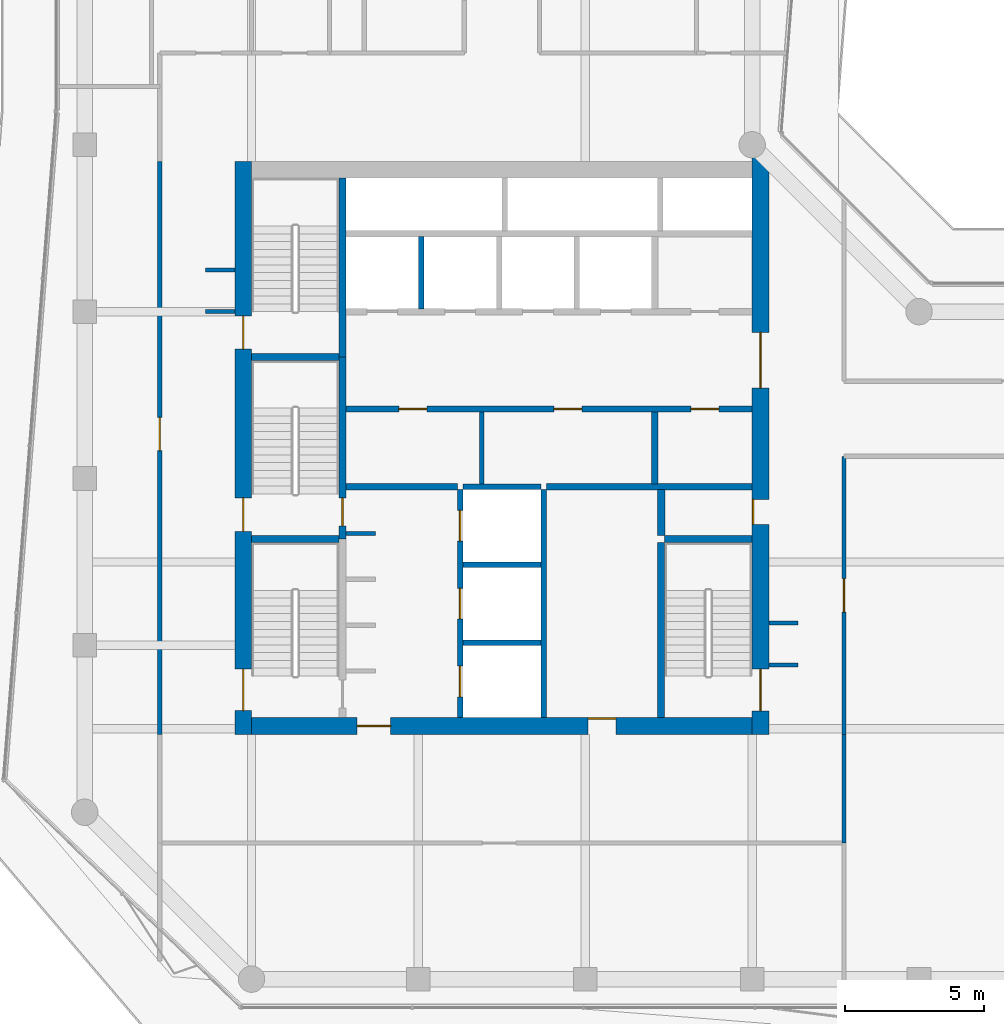
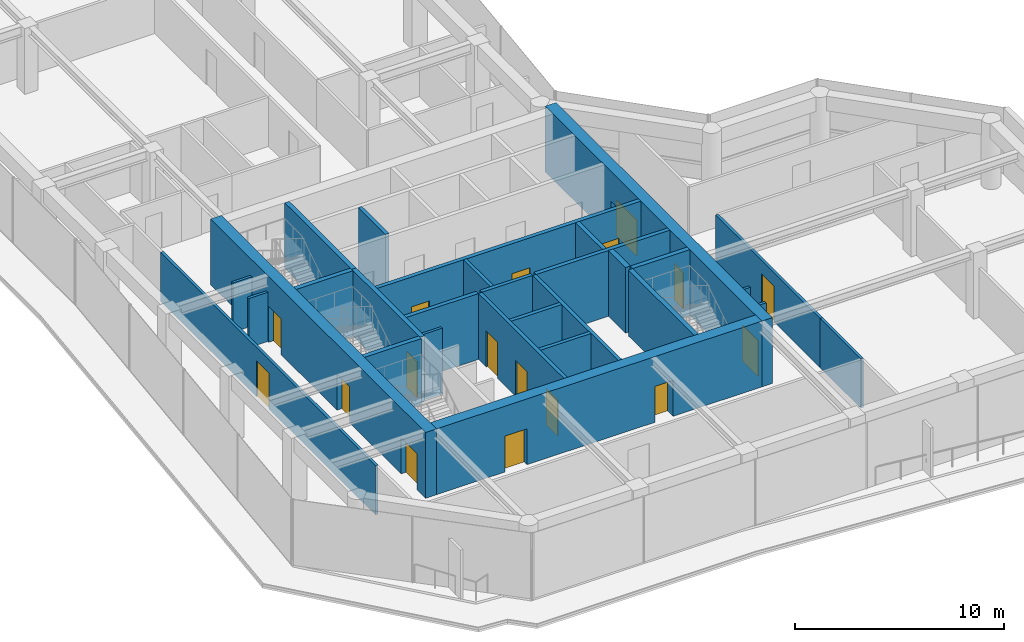
# One storey, part 18 of 22: 29 walls, 17 doors, 17 openings.
"""IFC4 building model written with IfcOpenShell, lengths in metres."""

from ifc_helpers import new_model, si_unit, direction, frame, frame_2d, origin, place, context, subcontext, project, spatial, rectangle, extrude, material, layer, layer_set, type_object, element, fill, save


model = new_model("IFC4")

# Units and contexts
model_context = context("Model", 3, precision=1e-05, world=origin(), true_north=direction((0.0, 1.0)))
body_context = subcontext(model_context, "Body", "Model", "MODEL_VIEW")
ifc_project = project(units=[si_unit("LENGTHUNIT", "METRE"), si_unit("AREAUNIT", "SQUARE_METRE"), si_unit("VOLUMEUNIT", "CUBIC_METRE"), si_unit("PLANEANGLEUNIT", "RADIAN"), si_unit("MASSUNIT", "GRAM", prefix="KILO")], contexts=[model_context])

# Site, building, storey
site_placement = place(None, origin())
site = spatial("IfcSite", under=ifc_project, at=site_placement, CompositionType="ELEMENT")
building_placement = place(site_placement, origin())
building = spatial("IfcBuilding", under=site, at=building_placement, Name="Welwitschia Terrace Campus", CompositionType="ELEMENT")
storey_placement = place(building_placement, frame((0.0, 0.0, 150.800048828125)))
storey = spatial("IfcBuildingStorey", under=building, at=storey_placement, Name="L33", CompositionType="ELEMENT", Elevation=150.800048828125)

# Walls
ifc_material_1 = material(Name="Concrete C32/40", Category="concrete")
ifc_layer_1 = layer(ifc_material_1, 0.175048828125)
ifc_layer_set_1 = layer_set([ifc_layer_1], Name="Concrete C32/40")
wall_type_1 = type_object("IfcWallType", Name="Core partition 175 Concrete C32/40", PredefinedType="PARTITIONING", material=ifc_layer_set_1)
wall_1_placement = place(storey_placement, frame((14.27490234375, 13.800048828125, 0.0), z_axis=(0.0, 0.0, 1.0), x_axis=(0.0, 1.0, 0.0)))
element("IfcWall", 1, at=wall_1_placement, inside=storey, type_object=wall_type_1, Name="Core partition", PredefinedType="PARTITIONING", context=body_context, shape_type="SweptSolid", body=[
    extrude(rectangle(XDim=2.599853515625, YDim=0.175048828125, at=frame_2d((1.2998046875, 0.0))), origin(), (0.0, 0.0, 1.0), 3.849853515625),
])
ifc_material_2 = material(Name="Concrete C32/40", Category="concrete")
ifc_layer_2 = layer(ifc_material_2, 0.22509765625)
ifc_layer_set_2 = layer_set([ifc_layer_2], Name="Concrete C32/40")
wall_type_2 = type_object("IfcWallType", Name="Core partition 225 Concrete C32/40", PredefinedType="PARTITIONING", material=ifc_layer_set_2)
wall_2_placement = place(storey_placement, frame((9.39990234375, 13.699951171875, 0.0), z_axis=(0.0, 0.0, 1.0), x_axis=(1.0, 0.0, 0.0)))
element("IfcWall", 2, at=wall_2_placement, inside=storey, type_object=wall_type_2, Name="Core partition", PredefinedType="PARTITIONING", context=body_context, shape_type="SweptSolid", body=[
    extrude(rectangle(XDim=4.0, YDim=0.22509765625, at=frame_2d((2.0, 0.0))), origin(), (0.0, 0.0, 1.0), 3.849853515625),
])
wall_3_placement = place(storey_placement, frame((16.60009765625, 13.699951171875, 0.0), z_axis=(0.0, 0.0, 1.0), x_axis=(1.0, 0.0, 0.0)))
element("IfcWall", 3, at=wall_3_placement, inside=storey, type_object=wall_type_2, Name="Core partition", PredefinedType="PARTITIONING", context=body_context, shape_type="SweptSolid", body=[
    extrude(rectangle(XDim=7.39990234375, YDim=0.22509765625, at=frame_2d((3.699951171875, 0.0))), origin(), (0.0, 0.0, 1.0), 3.849853515625),
])

# Wall, openings, doors
wall_4_placement = place(storey_placement, frame((9.39990234375, 16.5, 0.0), z_axis=(0.0, 0.0, 1.0), x_axis=(1.0, 0.0, 0.0)))
wall_4 = element("IfcWall", 4, at=wall_4_placement, inside=storey, type_object=wall_type_2, Name="Core partition", PredefinedType="PARTITIONING", context=body_context, shape_type="SweptSolid", body=[
    extrude(rectangle(XDim=14.60009765625, YDim=0.22509765625, at=frame_2d((7.300048828125, 0.0))), origin(), (0.0, 0.0, 1.0), 3.849853515625),
])
opening_1_placement = place(wall_4_placement, frame((1.89990234375, 0.0, 0.0)))
opening_1 = element("IfcOpeningElement", 5, at=opening_1_placement, cuts=wall_4, Name="Opening DR10", PredefinedType="OPENING", context=body_context, shape_type="SweptSolid", body=[
    extrude(rectangle(XDim=1.0, YDim=2.10009765625, at=frame_2d((0.5, 1.050048828125))), frame((0.0, 0.12255859375, 0.0), z_axis=(0.0, -1.0, 0.0), x_axis=(1.0, 0.0, 0.0)), (0.0, 0.0, 1.0), 0.2451171875),
])
opening_2_placement = place(wall_4_placement, frame((7.47509765625, 0.0, 0.0)))
opening_2 = element("IfcOpeningElement", 6, at=opening_2_placement, cuts=wall_4, Name="Opening DR10", PredefinedType="OPENING", context=body_context, shape_type="SweptSolid", body=[
    extrude(rectangle(XDim=1.0, YDim=2.10009765625, at=frame_2d((0.5, 1.050048828125))), frame((0.0, 0.12255859375, 0.0), z_axis=(0.0, -1.0, 0.0), x_axis=(1.0, 0.0, 0.0)), (0.0, 0.0, 1.0), 0.2451171875),
])
opening_3_placement = place(wall_4_placement, frame((12.39990234375, 0.0, 0.0)))
opening_3 = element("IfcOpeningElement", 7, at=opening_3_placement, cuts=wall_4, Name="Opening DR10", PredefinedType="OPENING", context=body_context, shape_type="SweptSolid", body=[
    extrude(rectangle(XDim=1.0, YDim=2.10009765625, at=frame_2d((0.5, 1.050048828125))), frame((0.0, 0.12255859375, 0.0), z_axis=(0.0, -1.0, 0.0), x_axis=(1.0, 0.0, 0.0)), (0.0, 0.0, 1.0), 0.2451171875),
])
ifc_material_3 = material(Name="Steel S275", Category="steel")
door_type_1 = type_object("IfcDoorType", Name="Core door DR10", OperationType="SINGLE_SWING_LEFT", PredefinedType="DOOR", material=ifc_material_3)
door_1_placement = place(opening_1_placement, origin())
door_1 = element("IfcDoor", 8, at=door_1_placement, inside=storey, type_object=door_type_1, Name="Door BAYL1-D", OperationType="SINGLE_SWING_LEFT", OverallHeight=2.10009765625, OverallWidth=1.0, PredefinedType="DOOR", context=body_context, shape_type="SweptSolid", body=[
    extrude(rectangle(XDim=1.0, YDim=2.10009765625, at=frame_2d((0.5, 1.050048828125))), frame((0.0, 0.02490234375, 0.0), z_axis=(0.0, -1.0, 0.0), x_axis=(1.0, 0.0, 0.0)), (0.0, 0.0, 1.0), 0.050048828125),
])
fill(opening_1, door_1)
door_2_placement = place(opening_2_placement, origin())
door_2 = element("IfcDoor", 9, at=door_2_placement, inside=storey, type_object=door_type_1, Name="Door BAYL2-D", OperationType="SINGLE_SWING_RIGHT", OverallHeight=2.10009765625, OverallWidth=1.0, PredefinedType="DOOR", context=body_context, shape_type="SweptSolid", body=[
    extrude(rectangle(XDim=1.0, YDim=2.10009765625, at=frame_2d((0.5, 1.050048828125))), frame((0.0, 0.02490234375, 0.0), z_axis=(0.0, -1.0, 0.0), x_axis=(1.0, 0.0, 0.0)), (0.0, 0.0, 1.0), 0.050048828125),
])
fill(opening_2, door_2)
door_3_placement = place(opening_3_placement, origin())
door_3 = element("IfcDoor", 10, at=door_3_placement, inside=storey, type_object=door_type_1, Name="Door EL-D", OperationType="SINGLE_SWING_RIGHT", OverallHeight=2.10009765625, OverallWidth=1.0, PredefinedType="DOOR", context=body_context, shape_type="SweptSolid", body=[
    extrude(rectangle(XDim=1.0, YDim=2.10009765625, at=frame_2d((0.5, 1.050048828125))), frame((0.0, 0.02490234375, 0.0), z_axis=(0.0, -1.0, 0.0), x_axis=(1.0, 0.0, 0.0)), (0.0, 0.0, 1.0), 0.050048828125),
])
fill(opening_3, door_3)

# Walls
wall_5_placement = place(storey_placement, frame((20.5, 13.800048828125, 0.0), z_axis=(0.0, 0.0, 1.0), x_axis=(0.0, 1.0, 0.0)))
element("IfcWall", 11, at=wall_5_placement, inside=storey, type_object=wall_type_2, Name="Core partition", PredefinedType="PARTITIONING", context=body_context, shape_type="SweptSolid", body=[
    extrude(rectangle(XDim=2.599853515625, YDim=0.22509765625, at=frame_2d((1.2998046875, 0.0))), origin(), (0.0, 0.0, 1.0), 3.849853515625),
])
ifc_material_4 = material(Name="Concrete C32/40", Category="concrete")
ifc_layer_3 = layer(ifc_material_4, 0.27490234375)
ifc_layer_set_3 = layer_set([ifc_layer_3], Name="Concrete C32/40")
wall_type_3 = type_object("IfcWallType", Name="Core partition 275 Concrete C32/40", PredefinedType="PARTITIONING", material=ifc_layer_set_3)
wall_6_placement = place(storey_placement, frame((20.72509765625, 11.949951171875, 0.0), z_axis=(0.0, 0.0, 1.0), x_axis=(0.0, 1.0, 0.0)))
element("IfcWall", 12, at=wall_6_placement, inside=storey, type_object=wall_type_3, Name="Core partition", PredefinedType="PARTITIONING", context=body_context, shape_type="SweptSolid", body=[
    extrude(rectangle(XDim=1.650146484375, YDim=0.27490234375, at=frame_2d((0.8251953125, 0.0))), origin(), (0.0, 0.0, 1.0), 3.849853515625),
])
ifc_material_5 = material(Name="Concrete C50/60", Category="concrete")
ifc_layer_4 = layer(ifc_material_5, 0.14990234375)
ifc_layer_set_4 = layer_set([ifc_layer_4], Name="Concrete C50/60")
wall_type_4 = type_object("IfcWallType", Name="Core wall 150 Concrete C50/60", PredefinedType="SHEAR", material=ifc_layer_set_4)
wall_7_placement = place(storey_placement, frame((9.39990234375, 12.02490234375, 0.0), z_axis=(0.0, 0.0, 1.0), x_axis=(1.0, 0.0, 0.0)))
element("IfcWall", 13, at=wall_7_placement, inside=storey, type_object=wall_type_4, Name="Core wall", PredefinedType="SHEAR", context=body_context, shape_type="SweptSolid", body=[
    extrude(rectangle(XDim=1.050048828125, YDim=0.14990234375, at=frame_2d((0.52490234375, 0.0))), origin(), (0.0, 0.0, 1.0), 3.849853515625),
])
ifc_material_6 = material(Name="Concrete C50/60", Category="concrete")
ifc_layer_5 = layer(ifc_material_6, 0.199951171875)
ifc_layer_set_5 = layer_set([ifc_layer_5], Name="Concrete C50/60")
wall_type_5 = type_object("IfcWallType", Name="Core wall 200 Concrete C50/60", PredefinedType="SHEAR", material=ifc_layer_set_5)
for number, where, z_axis, x_axis, name in (
    (14, (13.60009765625, 8.10009765625, 0.0), (0.0, 0.0, 1.0), (1.0, 0.0, 0.0), "Core wall"),
    (15, (13.60009765625, 10.89990234375, 0.0), (0.0, 0.0, 1.0), (1.0, 0.0, 0.0), "Core wall"),
    (16, (13.60009765625, 13.699951171875, 0.0), (0.0, 0.0, 1.0), (1.0, 0.0, 0.0), "Core wall"),
):
    element("IfcWall", number, at=place(storey_placement, frame(where, z_axis=z_axis, x_axis=x_axis)), inside=storey, type_object=wall_type_5, Name=name, PredefinedType="SHEAR", context=body_context, shape_type="SweptSolid", body=[
        extrude(rectangle(XDim=2.7998046875, YDim=0.199951171875, at=frame_2d((1.39990234375, 0.0))), origin(), (0.0, 0.0, 1.0), 3.849853515625),
    ])

# Wall, openings, doors
wall_8_placement = place(storey_placement, frame((13.5, 5.39990234375, 0.0), z_axis=(0.0, 0.0, 1.0), x_axis=(0.0, 1.0, 0.0)))
wall_8 = element("IfcWall", 17, at=wall_8_placement, inside=storey, type_object=wall_type_5, Name="Core wall", PredefinedType="SHEAR", context=body_context, shape_type="SweptSolid", body=[
    extrude(rectangle(XDim=8.2001953125, YDim=0.199951171875, at=frame_2d((4.10009765625, 0.0))), origin(), (0.0, 0.0, 1.0), 3.849853515625),
])
opening_4_placement = place(wall_8_placement, frame((0.75, 0.0, 0.0)))
opening_4 = element("IfcOpeningElement", 18, at=opening_4_placement, cuts=wall_8, Name="Opening LD", PredefinedType="OPENING", context=body_context, shape_type="SweptSolid", body=[
    extrude(rectangle(XDim=1.10009765625, YDim=2.10009765625, at=frame_2d((0.550048828125, 1.050048828125))), frame((0.0, 0.10986328125, 0.0), z_axis=(0.0, -1.0, 0.0), x_axis=(1.0, 0.0, 0.0)), (0.0, 0.0, 1.0), 0.219970703125),
])
opening_5_placement = place(wall_8_placement, frame((3.550048828125, 0.0, 0.0)))
opening_5 = element("IfcOpeningElement", 19, at=opening_5_placement, cuts=wall_8, Name="Opening LD", PredefinedType="OPENING", context=body_context, shape_type="SweptSolid", body=[
    extrude(rectangle(XDim=1.10009765625, YDim=2.10009765625, at=frame_2d((0.550048828125, 1.050048828125))), frame((0.0, 0.10986328125, 0.0), z_axis=(0.0, -1.0, 0.0), x_axis=(1.0, 0.0, 0.0)), (0.0, 0.0, 1.0), 0.219970703125),
])
opening_6_placement = place(wall_8_placement, frame((6.35009765625, 0.0, 0.0)))
opening_6 = element("IfcOpeningElement", 20, at=opening_6_placement, cuts=wall_8, Name="Opening LD", PredefinedType="OPENING", context=body_context, shape_type="SweptSolid", body=[
    extrude(rectangle(XDim=1.10009765625, YDim=2.10009765625, at=frame_2d((0.550048828125, 1.050048828125))), frame((0.0, 0.10986328125, 0.0), z_axis=(0.0, -1.0, 0.0), x_axis=(1.0, 0.0, 0.0)), (0.0, 0.0, 1.0), 0.219970703125),
])
ifc_material_7 = material(Name="Stainless steel 304", Category="steel")
door_type_2 = type_object("IfcDoorType", Name="Lift landing door", OperationType="DOUBLE_DOOR_SLIDING", PredefinedType="DOOR", material=ifc_material_7)
door_4_placement = place(opening_4_placement, origin())
door_4 = element("IfcDoor", 21, at=door_4_placement, inside=storey, type_object=door_type_2, Name="Landing door FF1", OperationType="DOUBLE_DOOR_SLIDING", OverallHeight=2.10009765625, OverallWidth=1.10009765625, PredefinedType="DOOR", context=body_context, shape_type="SweptSolid", body=[
    extrude(rectangle(XDim=1.10009765625, YDim=2.10009765625, at=frame_2d((0.550048828125, 1.050048828125))), frame((0.0, 0.02490234375, 0.0), z_axis=(0.0, -1.0, 0.0), x_axis=(1.0, 0.0, 0.0)), (0.0, 0.0, 1.0), 0.050048828125),
])
fill(opening_4, door_4)
door_5_placement = place(opening_5_placement, origin())
door_5 = element("IfcDoor", 22, at=door_5_placement, inside=storey, type_object=door_type_2, Name="Landing door FF2", OperationType="DOUBLE_DOOR_SLIDING", OverallHeight=2.10009765625, OverallWidth=1.10009765625, PredefinedType="DOOR", context=body_context, shape_type="SweptSolid", body=[
    extrude(rectangle(XDim=1.10009765625, YDim=2.10009765625, at=frame_2d((0.550048828125, 1.050048828125))), frame((0.0, 0.02490234375, 0.0), z_axis=(0.0, -1.0, 0.0), x_axis=(1.0, 0.0, 0.0)), (0.0, 0.0, 1.0), 0.050048828125),
])
fill(opening_5, door_5)
door_6_placement = place(opening_6_placement, origin())
door_6 = element("IfcDoor", 23, at=door_6_placement, inside=storey, type_object=door_type_2, Name="Landing door SV1", OperationType="DOUBLE_DOOR_SLIDING", OverallHeight=2.10009765625, OverallWidth=1.10009765625, PredefinedType="DOOR", context=body_context, shape_type="SweptSolid", body=[
    extrude(rectangle(XDim=1.10009765625, YDim=2.10009765625, at=frame_2d((0.550048828125, 1.050048828125))), frame((0.0, 0.02490234375, 0.0), z_axis=(0.0, -1.0, 0.0), x_axis=(1.0, 0.0, 0.0)), (0.0, 0.0, 1.0), 0.050048828125),
])
fill(opening_6, door_6)

# Walls
wall_9_placement = place(storey_placement, frame((16.5, 5.39990234375, 0.0), z_axis=(0.0, 0.0, 1.0), x_axis=(0.0, 1.0, 0.0)))
element("IfcWall", 24, at=wall_9_placement, inside=storey, type_object=wall_type_5, Name="Core wall", PredefinedType="SHEAR", context=body_context, shape_type="SweptSolid", body=[
    extrude(rectangle(XDim=8.2001953125, YDim=0.199951171875, at=frame_2d((4.10009765625, 0.0))), origin(), (0.0, 0.0, 1.0), 3.849853515625),
])
ifc_material_8 = material(Name="Concrete C50/60", Category="concrete")
ifc_layer_6 = layer(ifc_material_8, 0.25)
ifc_layer_set_6 = layer_set([ifc_layer_6], Name="Concrete C50/60")
wall_type_6 = type_object("IfcWallType", Name="Core wall 250 Concrete C50/60", PredefinedType="SHEAR", material=ifc_layer_set_6)
for number, where, z_axis, x_axis, name in (
    (25, (6.0, 11.824951171875, 0.0), (0.0, 0.0, 1.0), (1.0, 0.0, 0.0), "Core wall"),
    (26, (20.85009765625, 11.824951171875, 0.0), (0.0, 0.0, 1.0), (1.0, 0.0, 0.0), "Core wall"),
    (27, (6.0, 18.375, 0.0), (0.0, 0.0, 1.0), (1.0, 0.0, 0.0), "Core wall"),
):
    element("IfcWall", number, at=place(storey_placement, frame(where, z_axis=z_axis, x_axis=x_axis)), inside=storey, type_object=wall_type_6, Name=name, PredefinedType="SHEAR", context=body_context, shape_type="SweptSolid", body=[
        extrude(rectangle(XDim=3.14990234375, YDim=0.25, at=frame_2d((1.574951171875, 0.0))), origin(), (0.0, 0.0, 1.0), 3.849853515625),
    ])

# Wall, opening, door
wall_10_placement = place(storey_placement, frame((9.27490234375, 18.375, 0.0), z_axis=(0.0, 0.0, 1.0), x_axis=(0.0, -1.0, 0.0)))
wall_10 = element("IfcWall", 28, at=wall_10_placement, inside=storey, type_object=wall_type_6, Name="Core wall", PredefinedType="SHEAR", context=body_context, shape_type="SweptSolid", body=[
    extrude(rectangle(XDim=6.550048828125, YDim=0.25, at=frame_2d((3.27490234375, 0.0))), origin(), (0.0, 0.0, 1.0), 3.849853515625),
])
opening_7_placement = place(wall_10_placement, frame((5.074951171875, 0.0, 0.0)))
opening_7 = element("IfcOpeningElement", 29, at=opening_7_placement, cuts=wall_10, Name="Opening DS10", PredefinedType="OPENING", context=body_context, shape_type="SweptSolid", body=[
    extrude(rectangle(XDim=1.0, YDim=2.10009765625, at=frame_2d((0.5, 1.050048828125))), frame((0.0, 0.135009765625, 0.0), z_axis=(0.0, -1.0, 0.0), x_axis=(1.0, 0.0, 0.0)), (0.0, 0.0, 1.0), 0.27001953125),
])
ifc_material_9 = material(Name="Steel S275", Category="steel")
door_type_3 = type_object("IfcDoorType", Name="Core door DS10", OperationType="SINGLE_SWING_LEFT", PredefinedType="DOOR", material=ifc_material_9)
door_7_placement = place(opening_7_placement, origin())
door_7 = element("IfcDoor", 30, at=door_7_placement, inside=storey, type_object=door_type_3, Name="Door S3-FL", OperationType="SINGLE_SWING_RIGHT", OverallHeight=2.10009765625, OverallWidth=1.0, PredefinedType="DOOR", context=body_context, shape_type="SweptSolid", body=[
    extrude(rectangle(XDim=1.0, YDim=2.10009765625, at=frame_2d((0.5, 1.050048828125))), frame((0.0, 0.02490234375, 0.0), z_axis=(0.0, -1.0, 0.0), x_axis=(1.0, 0.0, 0.0)), (0.0, 0.0, 1.0), 0.050048828125),
])
fill(opening_7, door_7)

# Walls
wall_11_placement = place(storey_placement, frame((9.27490234375, 18.375, 0.0), z_axis=(0.0, 0.0, 1.0), x_axis=(0.0, 1.0, 0.0)))
element("IfcWall", 31, at=wall_11_placement, inside=storey, type_object=wall_type_6, Name="Core wall", PredefinedType="SHEAR", context=body_context, shape_type="SweptSolid", body=[
    extrude(rectangle(XDim=6.425048828125, YDim=0.25, at=frame_2d((3.21240234375, 0.0))), origin(), (0.0, 0.0, 1.0), 3.849853515625),
])
wall_12_placement = place(storey_placement, frame((20.72509765625, 5.39990234375, 0.0), z_axis=(0.0, 0.0, 1.0), x_axis=(0.0, 1.0, 0.0)))
element("IfcWall", 32, at=wall_12_placement, inside=storey, type_object=wall_type_6, Name="Core wall", PredefinedType="SHEAR", context=body_context, shape_type="SweptSolid", body=[
    extrude(rectangle(XDim=6.300048828125, YDim=0.25, at=frame_2d((3.14990234375, 0.0))), origin(), (0.0, 0.0, 1.0), 3.849853515625),
])

# Wall, openings, doors
ifc_material_10 = material(Name="Concrete C60/75", Category="concrete")
ifc_layer_7 = layer(ifc_material_10, 0.60009765625)
ifc_layer_set_7 = layer_set([ifc_layer_7], Name="Concrete C60/75")
wall_type_7 = type_object("IfcWallType", Name="Core wall 600 Concrete C60/75", PredefinedType="SHEAR", material=ifc_layer_set_7)
wall_13_placement = place(storey_placement, frame((5.699951171875, 4.800048828125, 0.0), z_axis=(0.0, 0.0, 1.0), x_axis=(0.0, 1.0, 0.0)))
wall_13 = element("IfcWall", 33, at=wall_13_placement, inside=storey, type_object=wall_type_7, Name="Core outer wall", PredefinedType="SHEAR", context=body_context, shape_type="SweptSolid", body=[
    extrude(rectangle(XDim=20.599853515625, YDim=0.60009765625, at=frame_2d((10.2998046875, 0.0))), origin(), (0.0, 0.0, 1.0), 3.849853515625),
])
opening_8_placement = place(wall_13_placement, frame((0.85009765625, 0.0, 0.0)))
opening_8 = element("IfcOpeningElement", 34, at=opening_8_placement, cuts=wall_13, Name="Opening DS15", PredefinedType="OPENING", context=body_context, shape_type="SweptSolid", body=[
    extrude(rectangle(XDim=1.5, YDim=2.10009765625, at=frame_2d((0.75, 1.050048828125))), frame((0.0, 0.31005859375, 0.0), z_axis=(0.0, -1.0, 0.0), x_axis=(1.0, 0.0, 0.0)), (0.0, 0.0, 1.0), 0.6201171875),
])
opening_9_placement = place(wall_13_placement, frame((7.300048828125, 0.0, 0.0)))
opening_9 = element("IfcOpeningElement", 35, at=opening_9_placement, cuts=wall_13, Name="Opening DS12", PredefinedType="OPENING", context=body_context, shape_type="SweptSolid", body=[
    extrude(rectangle(XDim=1.199951171875, YDim=2.10009765625, at=frame_2d((0.60009765625, 1.050048828125))), frame((0.0, 0.31005859375, 0.0), z_axis=(0.0, -1.0, 0.0), x_axis=(1.0, 0.0, 0.0)), (0.0, 0.0, 1.0), 0.6201171875),
])
opening_10_placement = place(wall_13_placement, frame((13.85009765625, 0.0, 0.0)))
opening_10 = element("IfcOpeningElement", 36, at=opening_10_placement, cuts=wall_13, Name="Opening DS12", PredefinedType="OPENING", context=body_context, shape_type="SweptSolid", body=[
    extrude(rectangle(XDim=1.199951171875, YDim=2.10009765625, at=frame_2d((0.60009765625, 1.050048828125))), frame((0.0, 0.31005859375, 0.0), z_axis=(0.0, -1.0, 0.0), x_axis=(1.0, 0.0, 0.0)), (0.0, 0.0, 1.0), 0.6201171875),
])
ifc_material_11 = material(Name="Steel S275", Category="steel")
door_type_4 = type_object("IfcDoorType", Name="Core door DS12", OperationType="SINGLE_SWING_LEFT", PredefinedType="DOOR", material=ifc_material_11)
door_8_placement = place(opening_9_placement, origin())
door_8 = element("IfcDoor", 37, at=door_8_placement, inside=storey, type_object=door_type_4, Name="Door S3-out", OperationType="SINGLE_SWING_LEFT", OverallHeight=2.10009765625, OverallWidth=1.199951171875, PredefinedType="DOOR", context=body_context, shape_type="SweptSolid", body=[
    extrude(rectangle(XDim=1.199951171875, YDim=2.10009765625, at=frame_2d((0.60009765625, 1.050048828125))), frame((0.0, 0.02490234375, 0.0), z_axis=(0.0, -1.0, 0.0), x_axis=(1.0, 0.0, 0.0)), (0.0, 0.0, 1.0), 0.050048828125),
])
fill(opening_9, door_8)
door_9_placement = place(opening_10_placement, origin())
door_9 = element("IfcDoor", 38, at=door_9_placement, inside=storey, type_object=door_type_4, Name="Door S4-out", OperationType="SINGLE_SWING_RIGHT", OverallHeight=2.10009765625, OverallWidth=1.199951171875, PredefinedType="DOOR", context=body_context, shape_type="SweptSolid", body=[
    extrude(rectangle(XDim=1.199951171875, YDim=2.10009765625, at=frame_2d((0.60009765625, 1.050048828125))), frame((0.0, 0.02490234375, 0.0), z_axis=(0.0, -1.0, 0.0), x_axis=(1.0, 0.0, 0.0)), (0.0, 0.0, 1.0), 0.050048828125),
])
fill(opening_10, door_9)
ifc_material_12 = material(Name="Steel S275", Category="steel")
door_type_5 = type_object("IfcDoorType", Name="Core door DS15", OperationType="DOUBLE_DOOR_SINGLE_SWING", PredefinedType="DOOR", material=ifc_material_12)
door_10_placement = place(opening_8_placement, origin())
door_10 = element("IfcDoor", 39, at=door_10_placement, inside=storey, type_object=door_type_5, Name="Door S1-out", OperationType="DOUBLE_DOOR_SINGLE_SWING", OverallHeight=2.10009765625, OverallWidth=1.5, PredefinedType="DOOR", context=body_context, shape_type="SweptSolid", body=[
    extrude(rectangle(XDim=1.5, YDim=2.10009765625, at=frame_2d((0.75, 1.050048828125))), frame((0.0, 0.02490234375, 0.0), z_axis=(0.0, -1.0, 0.0), x_axis=(1.0, 0.0, 0.0)), (0.0, 0.0, 1.0), 0.050048828125),
])
fill(opening_8, door_10)

wall_14_placement = place(storey_placement, frame((24.300048828125, 25.554931640625, 0.0), z_axis=(0.0, 0.0, 1.0), x_axis=(0.0, -1.0, 0.0)))
wall_14 = element("IfcWall", 40, at=wall_14_placement, inside=storey, type_object=wall_type_7, Name="Core outer wall", PredefinedType="SHEAR", context=body_context, shape_type="SweptSolid", body=[
    extrude(rectangle(XDim=20.7548828125, YDim=0.60009765625, at=frame_2d((10.37744140625, 0.0))), origin(), (0.0, 0.0, 1.0), 3.849853515625),
])
opening_11_placement = place(wall_14_placement, frame((18.405029296875, 0.0, 0.0)))
opening_11 = element("IfcOpeningElement", 41, at=opening_11_placement, cuts=wall_14, Name="Opening DS15", PredefinedType="OPENING", context=body_context, shape_type="SweptSolid", body=[
    extrude(rectangle(XDim=1.5, YDim=2.10009765625, at=frame_2d((0.75, 1.050048828125))), frame((0.0, 0.31005859375, 0.0), z_axis=(0.0, -1.0, 0.0), x_axis=(1.0, 0.0, 0.0)), (0.0, 0.0, 1.0), 0.6201171875),
])
opening_12_placement = place(wall_14_placement, frame((12.304931640625, 0.0, 0.0)))
opening_12 = element("IfcOpeningElement", 42, at=opening_12_placement, cuts=wall_14, Name="Opening DR09", PredefinedType="OPENING", context=body_context, shape_type="SweptSolid", body=[
    extrude(rectangle(XDim=0.89990234375, YDim=2.10009765625, at=frame_2d((0.449951171875, 1.050048828125))), frame((0.0, 0.31005859375, 0.0), z_axis=(0.0, -1.0, 0.0), x_axis=(1.0, 0.0, 0.0)), (0.0, 0.0, 1.0), 0.6201171875),
])
opening_13_placement = place(wall_14_placement, frame((6.304931640625, 0.0, 0.0)))
opening_13 = element("IfcOpeningElement", 43, at=opening_13_placement, cuts=wall_14, Name="Opening DL20", PredefinedType="OPENING", context=body_context, shape_type="SweptSolid", body=[
    extrude(rectangle(XDim=2.0, YDim=2.10009765625, at=frame_2d((1.0, 1.050048828125))), frame((0.0, 0.31005859375, 0.0), z_axis=(0.0, -1.0, 0.0), x_axis=(1.0, 0.0, 0.0)), (0.0, 0.0, 1.0), 0.6201171875),
])
ifc_material_13 = material(Name="Steel S275", Category="steel")
door_type_6 = type_object("IfcDoorType", Name="Core door DL20", OperationType="DOUBLE_DOOR_SINGLE_SWING", PredefinedType="DOOR", material=ifc_material_13)
door_11_placement = place(opening_13_placement, origin())
door_11 = element("IfcDoor", 44, at=door_11_placement, inside=storey, type_object=door_type_6, Name="Door LOBBY-out", OperationType="DOUBLE_DOOR_SINGLE_SWING", OverallHeight=2.10009765625, OverallWidth=2.0, PredefinedType="DOOR", context=body_context, shape_type="SweptSolid", body=[
    extrude(rectangle(XDim=2.0, YDim=2.10009765625, at=frame_2d((1.0, 1.050048828125))), frame((0.0, 0.02490234375, 0.0), z_axis=(0.0, -1.0, 0.0), x_axis=(1.0, 0.0, 0.0)), (0.0, 0.0, 1.0), 0.050048828125),
])
fill(opening_13, door_11)
ifc_material_14 = material(Name="Steel S275", Category="steel")
door_type_7 = type_object("IfcDoorType", Name="Core door DR09", OperationType="SINGLE_SWING_LEFT", PredefinedType="DOOR", material=ifc_material_14)
door_12_placement = place(opening_12_placement, origin())
door_12 = element("IfcDoor", 45, at=door_12_placement, inside=storey, type_object=door_type_7, Name="Door F1B-out", OperationType="SINGLE_SWING_RIGHT", OverallHeight=2.10009765625, OverallWidth=0.89990234375, PredefinedType="DOOR", context=body_context, shape_type="SweptSolid", body=[
    extrude(rectangle(XDim=0.89990234375, YDim=2.10009765625, at=frame_2d((0.449951171875, 1.050048828125))), frame((0.0, -0.23974609375, 0.0), z_axis=(0.0, -1.0, 0.0), x_axis=(1.0, 0.0, 0.0)), (0.0, 0.0, 1.0), 0.050048828125),
])
fill(opening_12, door_12)
door_13_placement = place(opening_11_placement, origin())
door_13 = element("IfcDoor", 46, at=door_13_placement, inside=storey, type_object=door_type_5, Name="Door S2-out", OperationType="DOUBLE_DOOR_SINGLE_SWING", OverallHeight=2.10009765625, OverallWidth=1.5, PredefinedType="DOOR", context=body_context, shape_type="SweptSolid", body=[
    extrude(rectangle(XDim=1.5, YDim=2.10009765625, at=frame_2d((0.75, 1.050048828125))), frame((0.0, 0.02490234375, 0.0), z_axis=(0.0, -1.0, 0.0), x_axis=(1.0, 0.0, 0.0)), (0.0, 0.0, 1.0), 0.050048828125),
])
fill(opening_11, door_13)

wall_15_placement = place(storey_placement, frame((24.0, 5.10009765625, 0.0), z_axis=(0.0, 0.0, 1.0), x_axis=(-1.0, 0.0, 0.0)))
wall_15 = element("IfcWall", 47, at=wall_15_placement, inside=storey, type_object=wall_type_7, Name="Core outer wall", PredefinedType="SHEAR", context=body_context, shape_type="SweptSolid", body=[
    extrude(rectangle(XDim=18.0, YDim=0.60009765625, at=frame_2d((9.0, 0.0))), origin(), (0.0, 0.0, 1.0), 3.849853515625),
])
opening_14_placement = place(wall_15_placement, frame((13.0, 0.0, 0.0)))
opening_14 = element("IfcOpeningElement", 48, at=opening_14_placement, cuts=wall_15, Name="Opening DF12", PredefinedType="OPENING", context=body_context, shape_type="SweptSolid", body=[
    extrude(rectangle(XDim=1.199951171875, YDim=2.10009765625, at=frame_2d((0.60009765625, 1.050048828125))), frame((0.0, 0.31005859375, 0.0), z_axis=(0.0, -1.0, 0.0), x_axis=(1.0, 0.0, 0.0)), (0.0, 0.0, 1.0), 0.6201171875),
])
opening_15_placement = place(wall_15_placement, frame((4.89990234375, 0.0, 0.0)))
opening_15 = element("IfcOpeningElement", 49, at=opening_15_placement, cuts=wall_15, Name="Opening DR10", PredefinedType="OPENING", context=body_context, shape_type="SweptSolid", body=[
    extrude(rectangle(XDim=1.0, YDim=2.10009765625, at=frame_2d((0.5, 1.050048828125))), frame((0.0, 0.31005859375, 0.0), z_axis=(0.0, -1.0, 0.0), x_axis=(1.0, 0.0, 0.0)), (0.0, 0.0, 1.0), 0.6201171875),
])
ifc_material_15 = material(Name="Steel S275", Category="steel")
door_type_8 = type_object("IfcDoorType", Name="Core door DF12", OperationType="SINGLE_SWING_LEFT", PredefinedType="DOOR", material=ifc_material_15)
door_14_placement = place(opening_14_placement, origin())
door_14 = element("IfcDoor", 50, at=door_14_placement, inside=storey, type_object=door_type_8, Name="Door FL-out", OperationType="SINGLE_SWING_RIGHT", OverallHeight=2.10009765625, OverallWidth=1.199951171875, PredefinedType="DOOR", context=body_context, shape_type="SweptSolid", body=[
    extrude(rectangle(XDim=1.199951171875, YDim=2.10009765625, at=frame_2d((0.60009765625, 1.050048828125))), frame((0.0, 0.02490234375, 0.0), z_axis=(0.0, -1.0, 0.0), x_axis=(1.0, 0.0, 0.0)), (0.0, 0.0, 1.0), 0.050048828125),
])
fill(opening_14, door_14)
door_15_placement = place(opening_15_placement, origin())
door_15 = element("IfcDoor", 51, at=door_15_placement, inside=storey, type_object=door_type_1, Name="Door F1-out", OperationType="SINGLE_SWING_LEFT", OverallHeight=2.10009765625, OverallWidth=1.0, PredefinedType="DOOR", context=body_context, shape_type="SweptSolid", body=[
    extrude(rectangle(XDim=1.0, YDim=2.10009765625, at=frame_2d((0.5, 1.050048828125))), frame((0.0, -0.23974609375, 0.0), z_axis=(0.0, -1.0, 0.0), x_axis=(1.0, 0.0, 0.0)), (0.0, 0.0, 1.0), 0.050048828125),
])
fill(opening_15, door_15)

# Wall, opening, door
ifc_material_16 = material(Name="Gypsum board on steel studs", Category="steel")
ifc_layer_8 = layer(ifc_material_16, 0.14990234375)
ifc_layer_set_8 = layer_set([ifc_layer_8], Name="Gypsum board on steel studs")
wall_type_8 = type_object("IfcWallType", Name="Corridor partition 150 EI 30", PredefinedType="PARTITIONING", material=ifc_layer_set_8)
wall_16_placement = place(storey_placement, frame((2.699951171875, 4.800048828125, 0.0), z_axis=(0.0, 0.0, 1.0), x_axis=(0.0, 1.0, 0.0)))
wall_16 = element("IfcWall", 52, at=wall_16_placement, inside=storey, type_object=wall_type_8, Name="Partition", PredefinedType="PARTITIONING", context=body_context, shape_type="SweptSolid", body=[
    extrude(rectangle(XDim=20.599853515625, YDim=0.14990234375, at=frame_2d((10.2998046875, 0.0))), origin(), (0.0, 0.0, 1.0), 2.8798828125),
])
opening_16_placement = place(wall_16_placement, frame((10.199951171875, 0.0, 0.0)))
opening_16 = element("IfcOpeningElement", 53, at=opening_16_placement, cuts=wall_16, Name="Opening DI12", PredefinedType="OPENING", context=body_context, shape_type="SweptSolid", body=[
    extrude(rectangle(XDim=1.199951171875, YDim=2.10009765625, at=frame_2d((0.60009765625, 1.050048828125))), frame((0.0, 0.0849609375, 0.0), z_axis=(0.0, -1.0, 0.0), x_axis=(1.0, 0.0, 0.0)), (0.0, 0.0, 1.0), 0.169921875),
])
ifc_material_17 = material(Name="Timber veneered door", Category="wood")
door_type_9 = type_object("IfcDoorType", Name="Interior door DI12", OperationType="NOTDEFINED", PredefinedType="DOOR", material=ifc_material_17)
door_16_placement = place(opening_16_placement, origin())
door_16 = element("IfcDoor", 54, at=door_16_placement, inside=storey, type_object=door_type_9, Name="Door L33 676", OperationType="SINGLE_SWING_LEFT", OverallHeight=2.10009765625, OverallWidth=1.199951171875, PredefinedType="DOOR", context=body_context, shape_type="SweptSolid", body=[
    extrude(rectangle(XDim=1.199951171875, YDim=2.10009765625, at=frame_2d((0.60009765625, 1.050048828125))), frame((0.0, 0.02490234375, 0.0), z_axis=(0.0, -1.0, 0.0), x_axis=(1.0, 0.0, 0.0)), (0.0, 0.0, 1.0), 0.050048828125),
])
fill(opening_16, door_16)

# Walls
for number, where, z_axis, x_axis, name in (
    (55, (4.35009765625, 20.0, 0.0), (0.0, 0.0, 1.0), (1.0, 0.0, 0.0), "Partition"),
    (56, (4.35009765625, 21.5, 0.0), (0.0, 0.0, 1.0), (1.0, 0.0, 0.0), "Partition"),
    (57, (24.60009765625, 7.300048828125, 0.0), (0.0, 0.0, 1.0), (1.0, 0.0, 0.0), "Partition"),
    (58, (24.60009765625, 8.800048828125, 0.0), (0.0, 0.0, 1.0), (1.0, 0.0, 0.0), "Partition"),
):
    element("IfcWall", number, at=place(storey_placement, frame(where, z_axis=z_axis, x_axis=x_axis)), inside=storey, type_object=wall_type_8, Name=name, PredefinedType="PARTITIONING", context=body_context, shape_type="SweptSolid", body=[
        extrude(rectangle(XDim=1.0498046875, YDim=0.14990234375, at=frame_2d((0.52490234375, 0.0))), origin(), (0.0, 0.0, 1.0), 2.8798828125),
    ])
wall_17_placement = place(storey_placement, frame((27.300048828125, 0.89990234375, 0.0), z_axis=(0.0, 0.0, 1.0), x_axis=(0.0, 1.0, 0.0)))
element("IfcWall", 59, at=wall_17_placement, inside=storey, type_object=wall_type_8, Name="Partition", PredefinedType="PARTITIONING", context=body_context, shape_type="SweptSolid", body=[
    extrude(rectangle(XDim=3.900146484375, YDim=0.14990234375, at=frame_2d((1.9501953125, 0.0))), origin(), (0.0, 0.0, 1.0), 2.8798828125),
])

# Wall, opening, door
wall_18_placement = place(storey_placement, frame((27.300048828125, 4.800048828125, 0.0), z_axis=(0.0, 0.0, 1.0), x_axis=(0.0, 1.0, 0.0)))
wall_18 = element("IfcWall", 60, at=wall_18_placement, inside=storey, type_object=wall_type_8, Name="Partition", PredefinedType="PARTITIONING", context=body_context, shape_type="SweptSolid", body=[
    extrude(rectangle(XDim=10.0, YDim=0.14990234375, at=frame_2d((5.0, 0.0))), origin(), (0.0, 0.0, 1.0), 2.8798828125),
])
opening_17_placement = place(wall_18_placement, frame((4.39990234375, 0.0, 0.0)))
opening_17 = element("IfcOpeningElement", 61, at=opening_17_placement, cuts=wall_18, Name="Opening DI12", PredefinedType="OPENING", context=body_context, shape_type="SweptSolid", body=[
    extrude(rectangle(XDim=1.199951171875, YDim=2.10009765625, at=frame_2d((0.60009765625, 1.050048828125))), frame((0.0, 0.0849609375, 0.0), z_axis=(0.0, -1.0, 0.0), x_axis=(1.0, 0.0, 0.0)), (0.0, 0.0, 1.0), 0.169921875),
])
door_17_placement = place(opening_17_placement, origin())
door_17 = element("IfcDoor", 62, at=door_17_placement, inside=storey, type_object=door_type_9, Name="Door L33 690", OperationType="SINGLE_SWING_LEFT", OverallHeight=2.10009765625, OverallWidth=1.199951171875, PredefinedType="DOOR", context=body_context, shape_type="SweptSolid", body=[
    extrude(rectangle(XDim=1.199951171875, YDim=2.10009765625, at=frame_2d((0.60009765625, 1.050048828125))), frame((0.0, 0.02490234375, 0.0), z_axis=(0.0, -1.0, 0.0), x_axis=(1.0, 0.0, 0.0)), (0.0, 0.0, 1.0), 0.050048828125),
])
fill(opening_17, door_17)

# Wall
ifc_material_18 = material(Name="Concrete C32/40", Category="concrete")
ifc_layer_9 = layer(ifc_material_18, 0.199951171875)
ifc_layer_set_9 = layer_set([ifc_layer_9], Name="Concrete C32/40")
wall_type_9 = type_object("IfcWallType", Name="Shaft wall 200 Concrete C32/40", PredefinedType="SOLIDWALL", material=ifc_layer_set_9)
wall_19_placement = place(storey_placement, frame((12.10009765625, 20.10009765625, 0.0), z_axis=(0.0, 0.0, 1.0), x_axis=(0.0, 1.0, 0.0)))
element("IfcWall", 63, at=wall_19_placement, inside=storey, type_object=wall_type_9, Name="Shaft wall", PredefinedType="SOLIDWALL", context=body_context, shape_type="SweptSolid", body=[
    extrude(rectangle(XDim=2.599853515625, YDim=0.199951171875, at=frame_2d((1.2998046875, 0.0))), origin(), (0.0, 0.0, 1.0), 3.849853515625),
])

save(model, "model.ifc")
